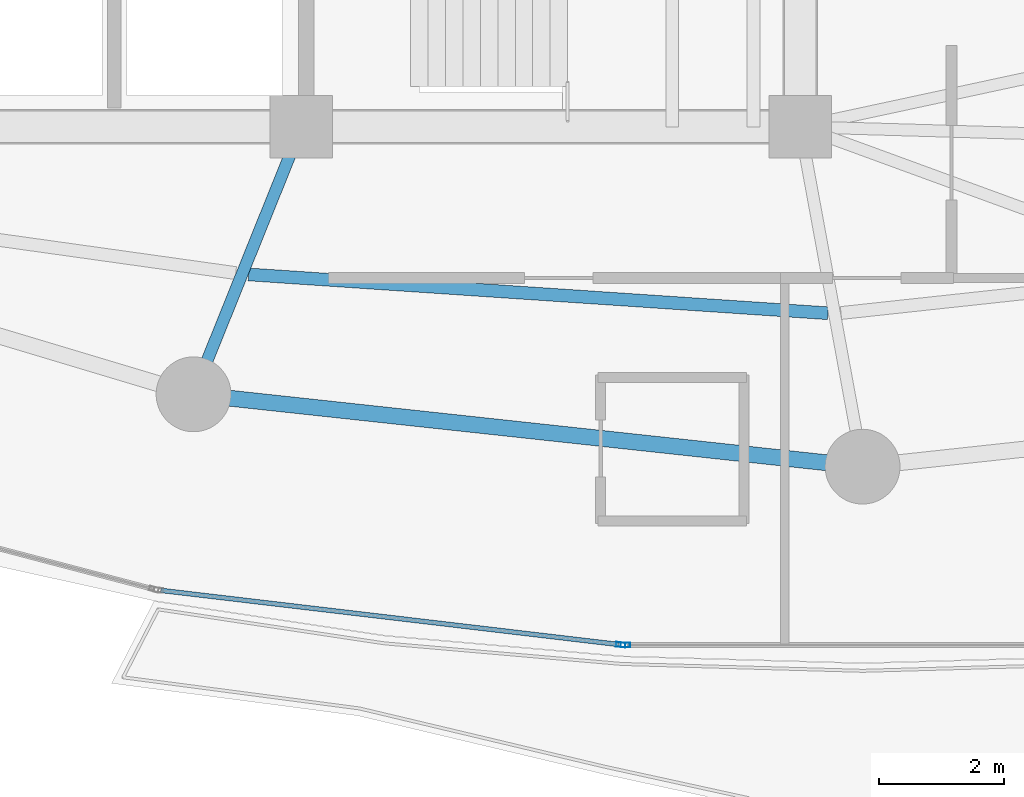
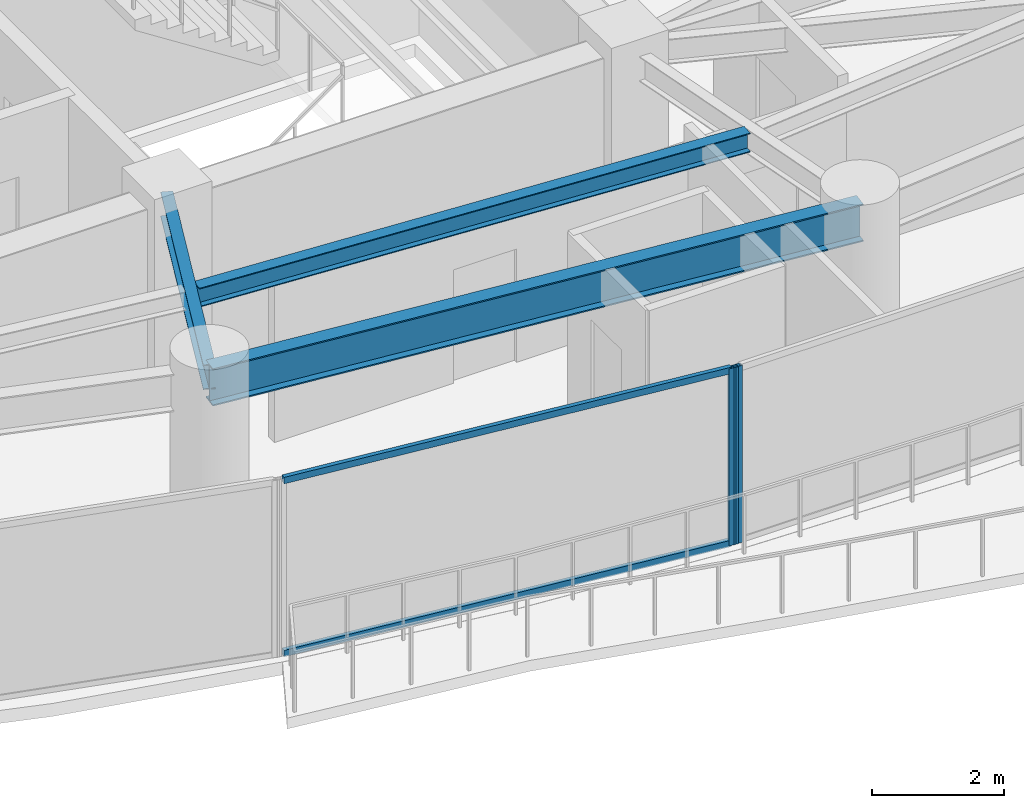
# One storey, part 6 of 33: 4 members, 3 beams, 2 elements without a shape of their own.
"""IFC4 building model written with IfcOpenShell, lengths in metres."""

import ifcopenshell
import ifcopenshell.guid

model = None  # the IFC model being written
_history = None  # IfcOwnerHistory: only IFC2X3 demands one
_inside = {}  # id of a spatial element -> (the spatial element, [elements in it])
_under = {}  # id of a project, library or spatial element -> (it, [spatial elements below it])
_declared = {}  # id of a project -> (the project, [libraries it declares])
_typed = {}  # id of a type object -> (the type object, [elements of that type])
_made_of = {}  # id of a material, layer set ... -> (it, [elements and type objects made of it])


def new_model(schema):
    """Start an empty IFC model of exactly this schema.

    Asked for "IFC4X3", IfcOpenShell would pick the latest addendum, in which some entities
    have other attributes; the version numbers below select the first issue.
    IFC2X3 requires an IfcOwnerHistory on every rooted entity: one is made here for all.
    """
    global model, _history
    if schema == "IFC4X3":
        model = ifcopenshell.file(schema_version=(4, 3, 0, 0))
    else:
        model = ifcopenshell.file(schema=schema)
    _inside.clear()
    _under.clear()
    _declared.clear()
    _typed.clear()
    _made_of.clear()
    _history = None
    if model.schema == "IFC2X3":
        org = make("IfcOrganization", Name="unknown")
        user = make(
            "IfcPersonAndOrganization",
            ThePerson=make("IfcPerson", FamilyName="unknown"),
            TheOrganization=org,
        )
        app = make(
            "IfcApplication",
            ApplicationDeveloper=org,
            Version="unknown",
            ApplicationFullName="unknown",
            ApplicationIdentifier="unknown",
        )
        _history = make(
            "IfcOwnerHistory",
            OwningUser=user,
            OwningApplication=app,
            ChangeAction="ADDED",
            CreationDate=0,
        )
    return model


def make(cls, **values):
    """One entity of the class cls with the attributes given. An attribute that is None is left unset."""
    return model.create_entity(
        cls, **{name: value for name, value in values.items() if value is not None}
    )


def rooted(cls, **values):
    """An entity with a GlobalId (a new one), such as an element, a storey or a relation."""
    return make(cls, GlobalId=ifcopenshell.guid.new(), OwnerHistory=_history, **values)


def si_unit(unit_type, name, prefix=None):
    """IfcSIUnit, for example si_unit("LENGTHUNIT", "METRE", prefix="MILLI")."""
    return make("IfcSIUnit", UnitType=unit_type, Prefix=prefix, Name=name)


def assignment(units):
    """IfcUnitAssignment: the units of a project."""
    return None if units is None else make("IfcUnitAssignment", Units=units)


def point(xyz):
    """IfcCartesianPoint."""
    return None if xyz is None else make("IfcCartesianPoint", Coordinates=xyz)


def direction(xyz):
    """IfcDirection."""
    return None if xyz is None else make("IfcDirection", DirectionRatios=xyz)


def frame(location, z_axis=None, x_axis=None):
    """IfcAxis2Placement3D, a coordinate frame: its origin and axes. An axis left out is left unset."""
    return make(
        "IfcAxis2Placement3D",
        Location=point(location),
        Axis=direction(z_axis),
        RefDirection=direction(x_axis),
    )


def frame_2d(location, x_axis=None):
    """IfcAxis2Placement2D, a coordinate frame in the plane: its origin and x axis."""
    return make(
        "IfcAxis2Placement2D", Location=point(location), RefDirection=direction(x_axis)
    )


def origin():
    """The frame at (0, 0, 0) with its axes left unset."""
    return frame((0.0, 0.0, 0.0))


def origin_2d():
    """The frame at (0, 0) in the plane with its x axis left unset."""
    return frame_2d((0.0, 0.0))


def place(relative_to, where):
    """IfcLocalPlacement: puts the frame where relative to a parent placement (None: the world)."""
    return make(
        "IfcLocalPlacement", PlacementRelTo=relative_to, RelativePlacement=where
    )


def context(
    kind, dimensions, precision=None, world=None, true_north=None, identifier=None
):
    """IfcGeometricRepresentationContext, for example the 3D "Model" context."""
    return make(
        "IfcGeometricRepresentationContext",
        ContextIdentifier=identifier,
        ContextType=kind,
        CoordinateSpaceDimension=dimensions,
        Precision=precision,
        WorldCoordinateSystem=world,
        TrueNorth=true_north,
    )


def subcontext(parent, identifier, kind, view, scale=None):
    """IfcGeometricRepresentationSubContext, for example "Body" below "Model"."""
    return make(
        "IfcGeometricRepresentationSubContext",
        ContextIdentifier=identifier,
        ContextType=kind,
        ParentContext=parent,
        TargetScale=scale,
        TargetView=view,
    )


def project(units=None, contexts=None):
    """IfcProject with its units and contexts."""
    return rooted(
        "IfcProject",
        Name="project",
        RepresentationContexts=contexts,
        UnitsInContext=assignment(units),
    )


def spatial(cls, under=None, at=None, **own):
    """A site, building, storey or space (cls), placed at a placement, below another one or the project."""
    s = rooted(cls, ObjectPlacement=at, **own)
    if under is not None:
        _under.setdefault(under.id(), (under, []))[1].append(s)
    return s


def profile(cls, at=None, kind="AREA", **sizes):
    """A parametric profile (cls). Its sizes go by their IFC names, for example OverallWidth=200.0."""
    return make(cls, ProfileType=kind, Position=at, **sizes)


def hollow_rectangle(**sizes):
    """IfcRectangleHollowProfileDef."""
    return profile("IfcRectangleHollowProfileDef", **sizes)


def i_section(**sizes):
    """IfcIShapeProfileDef."""
    return profile("IfcIShapeProfileDef", **sizes)


def extrude(swept, where, along, depth):
    """IfcExtrudedAreaSolid: the profile swept, set in the frame where, extruded along a direction by depth."""
    return make(
        "IfcExtrudedAreaSolid",
        SweptArea=swept,
        Position=where,
        ExtrudedDirection=direction(along),
        Depth=depth,
    )


def shape(context_of_items, identifier, shape_type, items):
    """IfcShapeRepresentation: the items that make up one representation, for example the "Body"."""
    return make(
        "IfcShapeRepresentation",
        ContextOfItems=context_of_items,
        RepresentationIdentifier=identifier,
        RepresentationType=shape_type,
        Items=items,
    )


def material(Name=None, Category=None):
    """IfcMaterial."""
    return make("IfcMaterial", Name=Name, Category=Category)


def layer(
    of_material, thickness, ventilated=None, Name=None, Category=None, Priority=None
):
    """IfcMaterialLayer: one layer of a wall or slab, of a material (None: an air gap)."""
    return make(
        "IfcMaterialLayer",
        Material=of_material,
        LayerThickness=thickness,
        IsVentilated=ventilated,
        Name=Name,
        Category=Category,
        Priority=Priority,
    )


def layer_set(layers, Name=None):
    """IfcMaterialLayerSet."""
    return make("IfcMaterialLayerSet", MaterialLayers=layers, LayerSetName=Name)


def material_profile(
    of_material, cross_section, Name=None, Category=None, Priority=None
):
    """IfcMaterialProfile: a cross section and its material."""
    return make(
        "IfcMaterialProfile",
        Name=Name,
        Material=of_material,
        Profile=cross_section,
        Priority=Priority,
        Category=Category,
    )


def profile_set(profiles, Name=None, composite=None):
    """IfcMaterialProfileSet."""
    return make(
        "IfcMaterialProfileSet",
        Name=Name,
        MaterialProfiles=profiles,
        CompositeProfile=composite,
    )


def made_of(thing, what):
    """Note that an element or type object is made of a material, layer set ...; save() writes the relation."""
    if what is not None:
        _made_of.setdefault(what.id(), (what, []))[1].append(thing)
    return thing


def type_object(cls, material=None, **own):
    """A type object (cls), such as IfcWallType, which elements share."""
    return made_of(rooted(cls, **own), material)


def element(
    cls,
    number,
    at=None,
    inside=None,
    cuts=None,
    type_object=None,
    material=None,
    context=None,
    identifier="Body",
    shape_type=None,
    held_by="IfcProductDefinitionShape",
    body=None,
    shapes=None,
    **own,
):
    """One element of the class cls, such as IfcWall. Its Tag is "e" and its number.

    at: its placement. inside: the storey or other place that contains it. cuts: it is an
    opening in that element (IfcRelVoidsElement). A single representation is given by context,
    identifier, shape_type and body (its items); several are given by shapes. held_by: the class
    of the entity that holds the representations. save() writes the other relations.
    """
    e = rooted(cls, Tag="e%d" % number, ObjectPlacement=at, **own)
    if body is not None:
        shapes = [shape(context, identifier, shape_type, body)]
    if shapes is not None:
        e.Representation = make(held_by, Representations=shapes)
    if inside is not None:
        _inside.setdefault(inside.id(), (inside, []))[1].append(e)
    if cuts is not None:
        rooted(
            "IfcRelVoidsElement", RelatingBuildingElement=cuts, RelatedOpeningElement=e
        )
    if type_object is not None:
        _typed.setdefault(type_object.id(), (type_object, []))[1].append(e)
    return made_of(e, material)


def aggregate(whole, parts):
    """IfcRelAggregates: a whole, such as a stair, and the parts it consists of."""
    return rooted("IfcRelAggregates", RelatingObject=whole, RelatedObjects=parts)


def save(model, path):
    """Write the relations noted so far, then the file.

    IfcRelAggregates (storeys below a building ...), IfcRelContainedInSpatialStructure (elements
    in a storey), IfcRelDefinesByType, IfcRelAssociatesMaterial and IfcRelDeclares: one each for
    every whole, place, type object, material and project.
    """
    for whole, parts in _under.values():
        aggregate(whole, parts)
    for where, things in _inside.values():
        rooted(
            "IfcRelContainedInSpatialStructure",
            RelatedElements=things,
            RelatingStructure=where,
        )
    for kind, things in _typed.values():
        rooted("IfcRelDefinesByType", RelatedObjects=things, RelatingType=kind)
    for what, things in _made_of.values():
        rooted("IfcRelAssociatesMaterial", RelatedObjects=things, RelatingMaterial=what)
    for by, libraries in _declared.values():
        rooted("IfcRelDeclares", RelatingContext=by, RelatedDefinitions=libraries)
    model.write(path)


model = new_model("IFC4")

# Units and contexts
model_context = context("Model", 3, precision=1e-05, world=origin(), true_north=direction((0.0, 1.0)))
body_context = subcontext(model_context, "Body", "Model", "MODEL_VIEW")
ifc_project = project(units=[si_unit("LENGTHUNIT", "METRE"), si_unit("AREAUNIT", "SQUARE_METRE"), si_unit("VOLUMEUNIT", "CUBIC_METRE"), si_unit("PLANEANGLEUNIT", "RADIAN"), si_unit("MASSUNIT", "GRAM", prefix="KILO")], contexts=[model_context])

# Site, building, storey
site_placement = place(None, origin())
site = spatial("IfcSite", under=ifc_project, at=site_placement, CompositionType="ELEMENT")
building_placement = place(site_placement, origin())
building = spatial("IfcBuilding", under=site, at=building_placement, Name="Kazevale Care Tower and Concert Hall", CompositionType="ELEMENT")
storey_placement = place(building_placement, frame((0.0, 0.0, 178.199951171875)))
storey = spatial("IfcBuildingStorey", under=building, at=storey_placement, Name="L47", CompositionType="ELEMENT", Elevation=178.199951171875)

# Curtain wall, member
ifc_material_1 = material(Name="Aluminium 6063-T6 and Low-E Glass", Category="aluminium")
ifc_layer = layer(ifc_material_1, 0.179931640625)
ifc_layer_set = layer_set([ifc_layer], Name="Aluminium 6063-T6 and Low-E Glass")
curtain_wall_type = type_object("IfcCurtainWallType", Name="Sheltered Concave Balcony Curtain Wall CW-5", PredefinedType="NOTDEFINED", material=ifc_layer_set)
curtain_wall_1_placement = place(storey_placement, origin())
curtain_wall_1 = element("IfcCurtainWall", 1, at=curtain_wall_1_placement, inside=storey, type_object=curtain_wall_type, Name="cw:L47:f06", PredefinedType="NOTDEFINED")
ifc_material_2 = material(Name="Aluminium 6063-T6", Category="aluminium")
ifc_material_profile_1 = material_profile(ifc_material_2, hollow_rectangle(XDim=0.074951171875, YDim=0.14990234375, WallThickness=0.00390625, at=origin_2d()), Name="ALU75x150x4")
ifc_profile_set_1 = profile_set([ifc_material_profile_1], Name="Aluminium 6063-T6")
member_type_1 = type_object("IfcMemberType", Name="CW-5 Mullion ALU75x150x4", PredefinedType="MULLION", material=ifc_profile_set_1)
member_1_placement = place(storey_placement, frame((41.196533203125, 15.2890625, 0.0), z_axis=(0.0, 0.0, 1.0), x_axis=(0.0, -1.0, 0.0)))
member_1 = element("IfcMember", 2, at=member_1_placement, type_object=member_type_1, Name="CW-5 mullion 2", PredefinedType="MULLION", context=body_context, shape_type="SweptSolid", body=[
    extrude(hollow_rectangle(XDim=0.074951171875, YDim=0.14990234375, WallThickness=0.00390625, at=origin_2d()), origin(), (0.0, 0.0, 1.0), 3.280029296875),
])
aggregate(curtain_wall_1, [member_1])

# Curtain wall, members
curtain_wall_2_placement = place(storey_placement, origin())
curtain_wall_2 = element("IfcCurtainWall", 3, at=curtain_wall_2_placement, inside=storey, type_object=curtain_wall_type, Name="cw:L47:f07", PredefinedType="NOTDEFINED")
member_2_placement = place(storey_placement, frame((41.121826171875, 15.29345703125, 0.0), z_axis=(0.0, 0.0, 1.0), x_axis=(-0.117372179238, -0.993087997884, 0.0)))
member_2 = element("IfcMember", 4, at=member_2_placement, type_object=member_type_1, Name="CW-5 mullion 1", PredefinedType="MULLION", context=body_context, shape_type="SweptSolid", body=[
    extrude(hollow_rectangle(XDim=0.074951171875, YDim=0.14990234375, WallThickness=0.00390625, at=origin_2d()), origin(), (0.0, 0.0, 1.0), 3.280029296875),
])
ifc_material_profile_2 = material_profile(ifc_material_2, hollow_rectangle(XDim=0.074951171875, YDim=0.1201171875, WallThickness=0.00390625, at=origin_2d()), Name="ALU75x120x4")
ifc_profile_set_2 = profile_set([ifc_material_profile_2], Name="Aluminium 6063-T6")
member_type_2 = type_object("IfcMemberType", Name="CW-5 Transom ALU75x120x4", PredefinedType="USERDEFINED", material=ifc_profile_set_2)
member_3_placement = place(storey_placement, frame((41.08447265625, 15.2978515625, 0.03759765625), z_axis=(-0.993087545854, 0.117376003806, 0.0), x_axis=(-0.117376003806, -0.993087545854, 0.0)))
member_3 = element("IfcMember", 5, at=member_3_placement, type_object=member_type_2, Name="CW-5 transom 1.1", ObjectType="TRANSOM", PredefinedType="USERDEFINED", context=body_context, shape_type="SweptSolid", body=[
    extrude(hollow_rectangle(XDim=0.074951171875, YDim=0.1201171875, WallThickness=0.00390625, at=origin_2d()), origin(), (0.0, 0.0, 1.0), 7.39013671875),
])
member_4_placement = place(storey_placement, frame((41.08447265625, 15.2978515625, 3.242431640625), z_axis=(-0.993087545854, 0.117376003806, 0.0), x_axis=(-0.117376003806, -0.993087545854, 0.0)))
member_4 = element("IfcMember", 6, at=member_4_placement, type_object=member_type_2, Name="CW-5 transom 1.2", ObjectType="TRANSOM", PredefinedType="USERDEFINED", context=body_context, shape_type="SweptSolid", body=[
    extrude(hollow_rectangle(XDim=0.074951171875, YDim=0.1201171875, WallThickness=0.00390625, at=origin_2d()), origin(), (0.0, 0.0, 1.0), 7.39013671875),
])
aggregate(curtain_wall_2, [member_2, member_3, member_4])

# Beams
ifc_material_3 = material(Name="Steel ASTM A572 Gr 50", Category="steel")
ifc_material_profile_3 = material_profile(ifc_material_3, i_section(OverallWidth=0.19091796875, OverallDepth=0.4599609375, WebThickness=0.010009765625, FlangeThickness=0.01611328125, at=origin_2d()), Name="W460x82")
ifc_profile_set_3 = profile_set([ifc_material_profile_3], Name="Steel ASTM A572 Gr 50")
beam_type_1 = type_object("IfcBeamType", Name="Radial Floor Beam W460x82", PredefinedType="BEAM", material=ifc_profile_set_3)
beam_1_placement = place(storey_placement, frame((36.0, 23.60009765625, 3.050048828125), z_axis=(-0.373991766452, -0.927432023722, 0.0), x_axis=(0.927432023722, -0.373991766452, 0.0)))
element("IfcBeam", 7, at=beam_1_placement, inside=storey, type_object=beam_type_1, Name="beam:L47:rad:12", PredefinedType="BEAM", context=body_context, shape_type="SweptSolid", body=[
    extrude(i_section(OverallWidth=0.19091796875, OverallDepth=0.4599609375, WebThickness=0.010009765625, FlangeThickness=0.01611328125, at=origin_2d()), origin(), (0.0, 0.0, 1.0), 4.625732421875),
])
ifc_material_profile_4 = material_profile(ifc_material_3, i_section(OverallWidth=0.205078125, OverallDepth=0.35400390625, WebThickness=0.009521484375, FlangeThickness=0.016845703125, at=origin_2d()), Name="W360x79")
ifc_profile_set_4 = profile_set([ifc_material_profile_4], Name="Steel ASTM A572 Gr 50")
beam_type_2 = type_object("IfcBeamType", Name="Secondary Floor Joist W360x79", PredefinedType="JOIST", material=ifc_profile_set_4)
beam_2_placement = place(storey_placement, frame((35.153076171875, 21.23291015625, 3.10302734375), z_axis=(0.997761314569, -0.06687569925, 0.0), x_axis=(0.06687569925, 0.997761314569, 0.0)))
element("IfcBeam", 8, at=beam_2_placement, inside=storey, type_object=beam_type_2, Name="beam:L47:joist:12", PredefinedType="JOIST", context=body_context, shape_type="SweptSolid", body=[
    extrude(i_section(OverallWidth=0.205078125, OverallDepth=0.35400390625, WebThickness=0.009521484375, FlangeThickness=0.016845703125, at=origin_2d()), origin(), (0.0, 0.0, 1.0), 9.312744140625),
])
ifc_material_profile_5 = material_profile(ifc_material_3, i_section(OverallWidth=0.256103515625, OverallDepth=0.693115234375, WebThickness=0.014404296875, FlangeThickness=0.023681640625, at=origin_2d()), Name="W690x170")
ifc_profile_set_5 = profile_set([ifc_material_profile_5], Name="Steel ASTM A572 Gr 50")
beam_type_3 = type_object("IfcBeamType", Name="Waist Ring Beam W690x170", PredefinedType="BEAM", material=ifc_profile_set_5)
beam_3_placement = place(storey_placement, frame((34.27001953125, 19.31005859375, 2.93359375), z_axis=(0.994205479487, -0.107496346724, 0.0), x_axis=(0.107496346724, 0.994205479487, 0.0)))
element("IfcBeam", 9, at=beam_3_placement, inside=storey, type_object=beam_type_3, Name="beam:L47:ring:12", PredefinedType="BEAM", context=body_context, shape_type="SweptSolid", body=[
    extrude(i_section(OverallWidth=0.256103515625, OverallDepth=0.693115234375, WebThickness=0.014404296875, FlangeThickness=0.023681640625, at=origin_2d()), origin(), (0.0, 0.0, 1.0), 10.79248046875),
])

save(model, "model.ifc")
